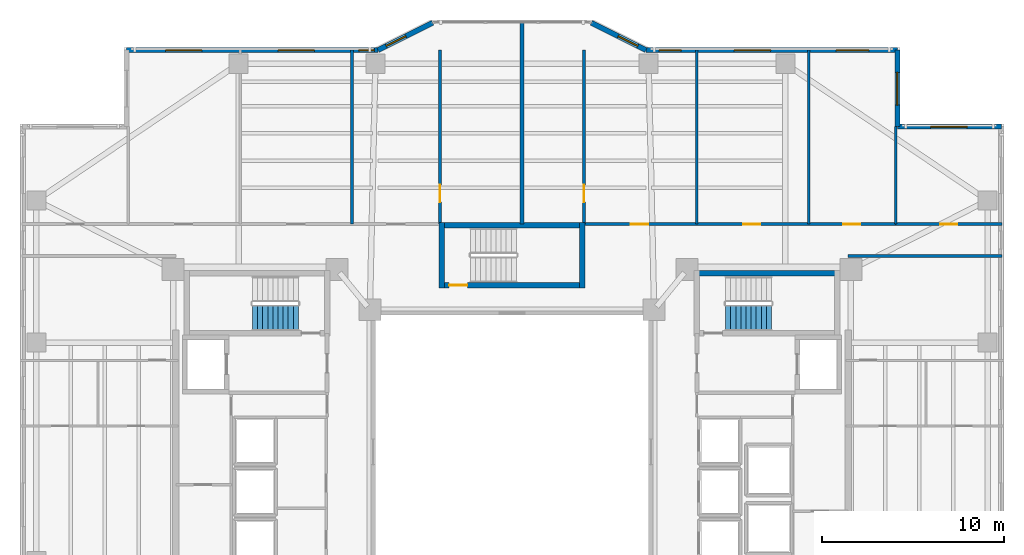
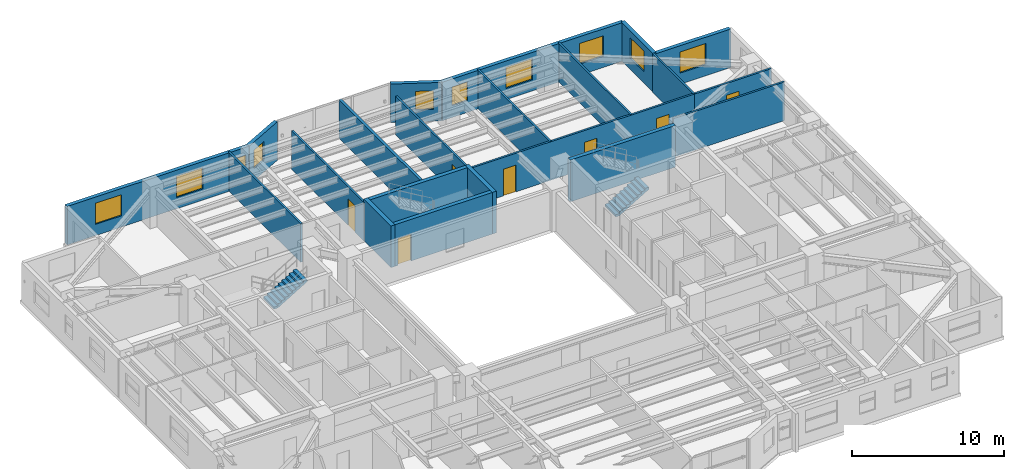
# One storey, part 10 of 18: 21 walls, 10 windows, 7 doors, 2 stair flights, 17 openings, 2 elements without a shape of their own.
"""IFC4 building model written with IfcOpenShell, lengths in metres."""

import ifcopenshell
import ifcopenshell.guid

model = None  # the IFC model being written
_history = None  # IfcOwnerHistory: only IFC2X3 demands one
_inside = {}  # id of a spatial element -> (the spatial element, [elements in it])
_under = {}  # id of a project, library or spatial element -> (it, [spatial elements below it])
_declared = {}  # id of a project -> (the project, [libraries it declares])
_typed = {}  # id of a type object -> (the type object, [elements of that type])
_made_of = {}  # id of a material, layer set ... -> (it, [elements and type objects made of it])


def new_model(schema):
    """Start an empty IFC model of exactly this schema.

    Asked for "IFC4X3", IfcOpenShell would pick the latest addendum, in which some entities
    have other attributes; the version numbers below select the first issue.
    IFC2X3 requires an IfcOwnerHistory on every rooted entity: one is made here for all.
    """
    global model, _history
    if schema == "IFC4X3":
        model = ifcopenshell.file(schema_version=(4, 3, 0, 0))
    else:
        model = ifcopenshell.file(schema=schema)
    _inside.clear()
    _under.clear()
    _declared.clear()
    _typed.clear()
    _made_of.clear()
    _history = None
    if model.schema == "IFC2X3":
        org = make("IfcOrganization", Name="unknown")
        user = make(
            "IfcPersonAndOrganization",
            ThePerson=make("IfcPerson", FamilyName="unknown"),
            TheOrganization=org,
        )
        app = make(
            "IfcApplication",
            ApplicationDeveloper=org,
            Version="unknown",
            ApplicationFullName="unknown",
            ApplicationIdentifier="unknown",
        )
        _history = make(
            "IfcOwnerHistory",
            OwningUser=user,
            OwningApplication=app,
            ChangeAction="ADDED",
            CreationDate=0,
        )
    return model


def make(cls, **values):
    """One entity of the class cls with the attributes given. An attribute that is None is left unset."""
    return model.create_entity(
        cls, **{name: value for name, value in values.items() if value is not None}
    )


def rooted(cls, **values):
    """An entity with a GlobalId (a new one), such as an element, a storey or a relation."""
    return make(cls, GlobalId=ifcopenshell.guid.new(), OwnerHistory=_history, **values)


def si_unit(unit_type, name, prefix=None):
    """IfcSIUnit, for example si_unit("LENGTHUNIT", "METRE", prefix="MILLI")."""
    return make("IfcSIUnit", UnitType=unit_type, Prefix=prefix, Name=name)


def assignment(units):
    """IfcUnitAssignment: the units of a project."""
    return None if units is None else make("IfcUnitAssignment", Units=units)


def point(xyz):
    """IfcCartesianPoint."""
    return None if xyz is None else make("IfcCartesianPoint", Coordinates=xyz)


def direction(xyz):
    """IfcDirection."""
    return None if xyz is None else make("IfcDirection", DirectionRatios=xyz)


def frame(location, z_axis=None, x_axis=None):
    """IfcAxis2Placement3D, a coordinate frame: its origin and axes. An axis left out is left unset."""
    return make(
        "IfcAxis2Placement3D",
        Location=point(location),
        Axis=direction(z_axis),
        RefDirection=direction(x_axis),
    )


def frame_2d(location, x_axis=None):
    """IfcAxis2Placement2D, a coordinate frame in the plane: its origin and x axis."""
    return make(
        "IfcAxis2Placement2D", Location=point(location), RefDirection=direction(x_axis)
    )


def origin():
    """The frame at (0, 0, 0) with its axes left unset."""
    return frame((0.0, 0.0, 0.0))


def place(relative_to, where):
    """IfcLocalPlacement: puts the frame where relative to a parent placement (None: the world)."""
    return make(
        "IfcLocalPlacement", PlacementRelTo=relative_to, RelativePlacement=where
    )


def context(
    kind, dimensions, precision=None, world=None, true_north=None, identifier=None
):
    """IfcGeometricRepresentationContext, for example the 3D "Model" context."""
    return make(
        "IfcGeometricRepresentationContext",
        ContextIdentifier=identifier,
        ContextType=kind,
        CoordinateSpaceDimension=dimensions,
        Precision=precision,
        WorldCoordinateSystem=world,
        TrueNorth=true_north,
    )


def subcontext(parent, identifier, kind, view, scale=None):
    """IfcGeometricRepresentationSubContext, for example "Body" below "Model"."""
    return make(
        "IfcGeometricRepresentationSubContext",
        ContextIdentifier=identifier,
        ContextType=kind,
        ParentContext=parent,
        TargetScale=scale,
        TargetView=view,
    )


def project(units=None, contexts=None):
    """IfcProject with its units and contexts."""
    return rooted(
        "IfcProject",
        Name="project",
        RepresentationContexts=contexts,
        UnitsInContext=assignment(units),
    )


def spatial(cls, under=None, at=None, **own):
    """A site, building, storey or space (cls), placed at a placement, below another one or the project."""
    s = rooted(cls, ObjectPlacement=at, **own)
    if under is not None:
        _under.setdefault(under.id(), (under, []))[1].append(s)
    return s


def polyline(points):
    """IfcPolyline through the points."""
    return make("IfcPolyline", Points=[point(p) for p in points])


def profile(cls, at=None, kind="AREA", **sizes):
    """A parametric profile (cls). Its sizes go by their IFC names, for example OverallWidth=200.0."""
    return make(cls, ProfileType=kind, Position=at, **sizes)


def rectangle(**sizes):
    """IfcRectangleProfileDef."""
    return profile("IfcRectangleProfileDef", **sizes)


def outline(outer, holes=None, kind="AREA"):
    """IfcArbitraryClosedProfileDef: a profile drawn as a closed curve; with holes, ...WithVoids."""
    if holes is None:
        return make("IfcArbitraryClosedProfileDef", ProfileType=kind, OuterCurve=outer)
    return make(
        "IfcArbitraryProfileDefWithVoids",
        ProfileType=kind,
        OuterCurve=outer,
        InnerCurves=holes,
    )


def extrude(swept, where, along, depth):
    """IfcExtrudedAreaSolid: the profile swept, set in the frame where, extruded along a direction by depth."""
    return make(
        "IfcExtrudedAreaSolid",
        SweptArea=swept,
        Position=where,
        ExtrudedDirection=direction(along),
        Depth=depth,
    )


def shape(context_of_items, identifier, shape_type, items):
    """IfcShapeRepresentation: the items that make up one representation, for example the "Body"."""
    return make(
        "IfcShapeRepresentation",
        ContextOfItems=context_of_items,
        RepresentationIdentifier=identifier,
        RepresentationType=shape_type,
        Items=items,
    )


def material(Name=None, Category=None):
    """IfcMaterial."""
    return make("IfcMaterial", Name=Name, Category=Category)


def layer(
    of_material, thickness, ventilated=None, Name=None, Category=None, Priority=None
):
    """IfcMaterialLayer: one layer of a wall or slab, of a material (None: an air gap)."""
    return make(
        "IfcMaterialLayer",
        Material=of_material,
        LayerThickness=thickness,
        IsVentilated=ventilated,
        Name=Name,
        Category=Category,
        Priority=Priority,
    )


def layer_set(layers, Name=None):
    """IfcMaterialLayerSet."""
    return make("IfcMaterialLayerSet", MaterialLayers=layers, LayerSetName=Name)


def made_of(thing, what):
    """Note that an element or type object is made of a material, layer set ...; save() writes the relation."""
    if what is not None:
        _made_of.setdefault(what.id(), (what, []))[1].append(thing)
    return thing


def type_object(cls, material=None, **own):
    """A type object (cls), such as IfcWallType, which elements share."""
    return made_of(rooted(cls, **own), material)


def element(
    cls,
    number,
    at=None,
    inside=None,
    cuts=None,
    type_object=None,
    material=None,
    context=None,
    identifier="Body",
    shape_type=None,
    held_by="IfcProductDefinitionShape",
    body=None,
    shapes=None,
    **own,
):
    """One element of the class cls, such as IfcWall. Its Tag is "e" and its number.

    at: its placement. inside: the storey or other place that contains it. cuts: it is an
    opening in that element (IfcRelVoidsElement). A single representation is given by context,
    identifier, shape_type and body (its items); several are given by shapes. held_by: the class
    of the entity that holds the representations. save() writes the other relations.
    """
    e = rooted(cls, Tag="e%d" % number, ObjectPlacement=at, **own)
    if body is not None:
        shapes = [shape(context, identifier, shape_type, body)]
    if shapes is not None:
        e.Representation = make(held_by, Representations=shapes)
    if inside is not None:
        _inside.setdefault(inside.id(), (inside, []))[1].append(e)
    if cuts is not None:
        rooted(
            "IfcRelVoidsElement", RelatingBuildingElement=cuts, RelatedOpeningElement=e
        )
    if type_object is not None:
        _typed.setdefault(type_object.id(), (type_object, []))[1].append(e)
    return made_of(e, material)


def fill(opening, filler):
    """IfcRelFillsElement: the door or window that sits in an opening."""
    return rooted(
        "IfcRelFillsElement",
        RelatingOpeningElement=opening,
        RelatedBuildingElement=filler,
    )


def aggregate(whole, parts):
    """IfcRelAggregates: a whole, such as a stair, and the parts it consists of."""
    return rooted("IfcRelAggregates", RelatingObject=whole, RelatedObjects=parts)


def save(model, path):
    """Write the relations noted so far, then the file.

    IfcRelAggregates (storeys below a building ...), IfcRelContainedInSpatialStructure (elements
    in a storey), IfcRelDefinesByType, IfcRelAssociatesMaterial and IfcRelDeclares: one each for
    every whole, place, type object, material and project.
    """
    for whole, parts in _under.values():
        aggregate(whole, parts)
    for where, things in _inside.values():
        rooted(
            "IfcRelContainedInSpatialStructure",
            RelatedElements=things,
            RelatingStructure=where,
        )
    for kind, things in _typed.values():
        rooted("IfcRelDefinesByType", RelatedObjects=things, RelatingType=kind)
    for what, things in _made_of.values():
        rooted("IfcRelAssociatesMaterial", RelatedObjects=things, RelatingMaterial=what)
    for by, libraries in _declared.values():
        rooted("IfcRelDeclares", RelatingContext=by, RelatedDefinitions=libraries)
    model.write(path)


model = new_model("IFC4")

# Units and contexts
model_context = context("Model", 3, precision=1e-05, world=origin(), true_north=direction((0.0, 1.0)))
body_context = subcontext(model_context, "Body", "Model", "MODEL_VIEW")
ifc_project = project(units=[si_unit("LENGTHUNIT", "METRE"), si_unit("AREAUNIT", "SQUARE_METRE"), si_unit("VOLUMEUNIT", "CUBIC_METRE"), si_unit("PLANEANGLEUNIT", "RADIAN"), si_unit("MASSUNIT", "GRAM", prefix="KILO")], contexts=[model_context])

# Site, building, storey
site_placement = place(None, origin())
site = spatial("IfcSite", under=ifc_project, at=site_placement, CompositionType="ELEMENT")
building_placement = place(site_placement, origin())
building = spatial("IfcBuilding", under=site, at=building_placement, Name="Tarnavaz Court Tower", CompositionType="ELEMENT")
storey_placement = place(building_placement, frame((0.0, 0.0, 108.449951171875)))
storey = spatial("IfcBuildingStorey", under=building, at=storey_placement, Name="L29", CompositionType="ELEMENT", Elevation=108.449951171875)

# Walls
ifc_material_1 = material(Name="Concrete C60/75", Category="concrete")
ifc_layer_1 = layer(ifc_material_1, 0.300048828125)
ifc_layer_set_1 = layer_set([ifc_layer_1], Name="Concrete C60/75")
wall_type_1 = type_object("IfcWallType", Name="WL-CORE-300-C60", PredefinedType="SHEAR", material=ifc_layer_set_1)
for number, where, z_axis, x_axis, name in (
    (1, (10.0, 9.7900390625, 0.0), (0.0, 0.0, 1.0), (1.0, 0.0, 0.0), "L29 East Stair Core Wall 005"),
    (2, (-4.0, 12.43994140625, 0.0), (0.0, 0.0, 1.0), (1.0, 0.0, 0.0), "L29 North Stair Core Wall 009"),
):
    element("IfcWall", number, at=place(storey_placement, frame(where, z_axis=z_axis, x_axis=x_axis)), inside=storey, type_object=wall_type_1, Name=name, PredefinedType="SHEAR", context=body_context, shape_type="SweptSolid", body=[
        extrude(rectangle(XDim=8.0, YDim=0.300048828125, at=frame_2d((4.0, 0.0))), origin(), (0.0, 0.0, 1.0), 3.35009765625),
    ])

# Wall, opening, door
wall_1_placement = place(storey_placement, frame((-4.0, 9.14990234375, 0.0), z_axis=(0.0, 0.0, 1.0), x_axis=(1.0, 0.0, 0.0)))
wall_1 = element("IfcWall", 3, at=wall_1_placement, inside=storey, type_object=wall_type_1, Name="L29 North Stair Core Wall 010", PredefinedType="SHEAR", context=body_context, shape_type="SweptSolid", body=[
    extrude(rectangle(XDim=8.0, YDim=0.300048828125, at=frame_2d((4.0, 0.0))), origin(), (0.0, 0.0, 1.0), 3.35009765625),
])
opening_1_placement = place(wall_1_placement, frame((0.550048828125, 0.0, 0.0)))
opening_1 = element("IfcOpeningElement", 4, at=opening_1_placement, cuts=wall_1, Name="Opening D01", PredefinedType="OPENING", context=body_context, shape_type="SweptSolid", body=[
    extrude(rectangle(XDim=1.0, YDim=2.14990234375, at=frame_2d((0.5, 1.074951171875))), frame((0.0, 0.159912109375, 0.0), z_axis=(0.0, -1.0, 0.0), x_axis=(1.0, 0.0, 0.0)), (0.0, 0.0, 1.0), 0.320068359375),
])
ifc_material_2 = material(Name="Fire-Rated Hardwood Timber Core", Category="wood")
door_type_1 = type_object("IfcDoorType", Name="DR-FD90-1000", OperationType="NOTDEFINED", PredefinedType="DOOR", material=ifc_material_2)
door_1_placement = place(opening_1_placement, origin())
door_1 = element("IfcDoor", 5, at=door_1_placement, inside=storey, type_object=door_type_1, Name="L29 Stair ST-N1 Exit Door", OperationType="SINGLE_SWING_LEFT", OverallHeight=2.14990234375, OverallWidth=1.0, PredefinedType="DOOR", context=body_context, shape_type="SweptSolid", body=[
    extrude(rectangle(XDim=1.0, YDim=2.14990234375, at=frame_2d((0.5, 1.074951171875))), frame((0.0, 0.02490234375, 0.0), z_axis=(0.0, -1.0, 0.0), x_axis=(1.0, 0.0, 0.0)), (0.0, 0.0, 1.0), 0.050048828125),
])
fill(opening_1, door_1)

# Walls
for number, where, z_axis, x_axis, name in (
    (6, (-3.85009765625, 9.0, 0.0), (0.0, 0.0, 1.0), (0.0, 1.0, 0.0), "L29 North Stair Core Wall 011"),
    (7, (3.85009765625, 9.0, 0.0), (0.0, 0.0, 1.0), (0.0, 1.0, 0.0), "L29 North Stair Core Wall 012"),
):
    element("IfcWall", number, at=place(storey_placement, frame(where, z_axis=z_axis, x_axis=x_axis)), inside=storey, type_object=wall_type_1, Name=name, PredefinedType="SHEAR", context=body_context, shape_type="SweptSolid", body=[
        extrude(rectangle(XDim=3.590087890625, YDim=0.300048828125, at=frame_2d((1.794921875, 0.0))), origin(), (0.0, 0.0, 1.0), 3.35009765625),
    ])

# Wall, openings, windows
ifc_material_3 = material(Name="Precast Concrete C40/50", Category="concrete")
ifc_layer_2 = layer(ifc_material_3, 0.280029296875)
ifc_layer_set_2 = layer_set([ifc_layer_2], Name="Precast Concrete C40/50")
wall_type_2 = type_object("IfcWallType", Name="WL-EXT-280", PredefinedType="SOLIDWALL", material=ifc_layer_set_2)
wall_2_placement = place(storey_placement, frame((-21.14990234375, 22.050048828125, 0.0), z_axis=(0.0, 0.0, 1.0), x_axis=(1.0, 0.0, 0.0)))
wall_2 = element("IfcWall", 8, at=wall_2_placement, inside=storey, type_object=wall_type_2, Name="L29 Exterior Terracotta Facade Wall 05", PredefinedType="SOLIDWALL", context=body_context, shape_type="SweptSolid", body=[
    extrude(rectangle(XDim=13.7998046875, YDim=0.280029296875, at=frame_2d((6.89990234375, 0.0))), origin(), (0.0, 0.0, 1.0), 3.10009765625),
])
opening_2_placement = place(wall_2_placement, frame((2.136474609375, 0.0, 0.89990234375)))
opening_2 = element("IfcOpeningElement", 9, at=opening_2_placement, cuts=wall_2, Name="Opening W08", PredefinedType="OPENING", context=body_context, shape_type="SweptSolid", body=[
    extrude(rectangle(XDim=2.0, YDim=1.699951171875, at=frame_2d((1.0, 0.85009765625))), frame((0.0, 0.14990234375, 0.0), z_axis=(0.0, -1.0, 0.0), x_axis=(1.0, 0.0, 0.0)), (0.0, 0.0, 1.0), 0.300048828125),
])
opening_3_placement = place(wall_2_placement, frame((8.30859375, 0.0, 0.89990234375)))
opening_3 = element("IfcOpeningElement", 10, at=opening_3_placement, cuts=wall_2, Name="Opening W08", PredefinedType="OPENING", context=body_context, shape_type="SweptSolid", body=[
    extrude(rectangle(XDim=2.0, YDim=1.699951171875, at=frame_2d((1.0, 0.85009765625))), frame((0.0, 0.14990234375, 0.0), z_axis=(0.0, -1.0, 0.0), x_axis=(1.0, 0.0, 0.0)), (0.0, 0.0, 1.0), 0.300048828125),
])
opening_4_placement = place(wall_2_placement, frame((12.7470703125, 0.0, 0.949951171875)))
opening_4 = element("IfcOpeningElement", 11, at=opening_4_placement, cuts=wall_2, Name="Opening W15", PredefinedType="OPENING", context=body_context, shape_type="SweptSolid", body=[
    extrude(rectangle(XDim=0.85009765625, YDim=1.5, at=frame_2d((0.425048828125, 0.75))), frame((0.0, 0.14990234375, 0.0), z_axis=(0.0, -1.0, 0.0), x_axis=(1.0, 0.0, 0.0)), (0.0, 0.0, 1.0), 0.300048828125),
])
ifc_material_4 = material(Name="Double-Glazed Solar Low-E Glass", Category="glass")
window_type_1 = type_object("IfcWindowType", Name="WN-APT-2000", PartitioningType="DOUBLE_PANEL_VERTICAL", PredefinedType="WINDOW", material=ifc_material_4)
window_1_placement = place(opening_2_placement, origin())
window_1 = element("IfcWindow", 12, at=window_1_placement, inside=storey, type_object=window_type_1, Name="L29 Resident Co-Working Study Room Window", OverallHeight=1.699951171875, OverallWidth=2.0, PartitioningType="SINGLE_PANEL", PredefinedType="WINDOW", context=body_context, shape_type="SweptSolid", body=[
    extrude(rectangle(XDim=2.0, YDim=1.699951171875, at=frame_2d((1.0, 0.85009765625))), frame((0.0, 0.030029296875, 0.0), z_axis=(0.0, -1.0, 0.0), x_axis=(1.0, 0.0, 0.0)), (0.0, 0.0, 1.0), 0.06005859375),
])
fill(opening_2, window_1)
window_2_placement = place(opening_3_placement, origin())
window_2 = element("IfcWindow", 13, at=window_2_placement, inside=storey, type_object=window_type_1, Name="L29 Quiet Reading Library Room Window", OverallHeight=1.699951171875, OverallWidth=2.0, PartitioningType="SINGLE_PANEL", PredefinedType="WINDOW", context=body_context, shape_type="SweptSolid", body=[
    extrude(rectangle(XDim=2.0, YDim=1.699951171875, at=frame_2d((1.0, 0.85009765625))), frame((0.0, 0.030029296875, 0.0), z_axis=(0.0, -1.0, 0.0), x_axis=(1.0, 0.0, 0.0)), (0.0, 0.0, 1.0), 0.06005859375),
])
fill(opening_3, window_2)
window_type_2 = type_object("IfcWindowType", Name="WN-APT-850", PartitioningType="SINGLE_PANEL", PredefinedType="WINDOW", material=ifc_material_4)
window_3_placement = place(opening_4_placement, origin())
window_3 = element("IfcWindow", 14, at=window_3_placement, inside=storey, type_object=window_type_2, Name="L29 Resident Focus Seminar Room Window", OverallHeight=1.5, OverallWidth=0.85009765625, PartitioningType="SINGLE_PANEL", PredefinedType="WINDOW", context=body_context, shape_type="SweptSolid", body=[
    extrude(rectangle(XDim=0.85009765625, YDim=1.5, at=frame_2d((0.425048828125, 0.75))), frame((0.0, 0.030029296875, 0.0), z_axis=(0.0, -1.0, 0.0), x_axis=(1.0, 0.0, 0.0)), (0.0, 0.0, 1.0), 0.06005859375),
])
fill(opening_4, window_3)

# Wall, opening, window
wall_3_placement = place(storey_placement, frame((-7.35009765625, 22.050048828125, 0.0), z_axis=(0.0, 0.0, 1.0), x_axis=(0.894427191, 0.4472135955, 0.0)))
wall_3 = element("IfcWall", 15, at=wall_3_placement, inside=storey, type_object=wall_type_2, Name="L29 Exterior Terracotta Facade Wall 06", PredefinedType="SOLIDWALL", context=body_context, shape_type="SweptSolid", body=[
    extrude(rectangle(XDim=3.35400390625, YDim=0.280029296875, at=frame_2d((1.677001953125, 0.0))), origin(), (0.0, 0.0, 1.0), 3.10009765625),
])
opening_5_placement = place(wall_3_placement, frame((0.501220703125, 0.0, 0.949951171875)))
opening_5 = element("IfcOpeningElement", 16, at=opening_5_placement, cuts=wall_3, Name="Opening W05", PredefinedType="OPENING", context=body_context, shape_type="SweptSolid", body=[
    extrude(rectangle(XDim=1.199951171875, YDim=1.5, at=frame_2d((0.60009765625, 0.75))), frame((0.0, 0.14990234375, 0.0), z_axis=(0.0, -1.0, 0.0), x_axis=(1.0, 0.0, 0.0)), (0.0, 0.0, 1.0), 0.300048828125),
])
window_type_3 = type_object("IfcWindowType", Name="WN-APT-1200", PartitioningType="SINGLE_PANEL", PredefinedType="WINDOW", material=ifc_material_4)
window_4_placement = place(opening_5_placement, origin())
window_4 = element("IfcWindow", 17, at=window_4_placement, inside=storey, type_object=window_type_3, Name="L29 Resident Focus Seminar Room Window", OverallHeight=1.5, OverallWidth=1.199951171875, PartitioningType="SINGLE_PANEL", PredefinedType="WINDOW", context=body_context, shape_type="SweptSolid", body=[
    extrude(rectangle(XDim=1.199951171875, YDim=1.5, at=frame_2d((0.60009765625, 0.75))), frame((0.0, 0.030029296875, 0.0), z_axis=(0.0, -1.0, 0.0), x_axis=(1.0, 0.0, 0.0)), (0.0, 0.0, 1.0), 0.06005859375),
])
fill(opening_5, window_4)

wall_4_placement = place(storey_placement, frame((4.35009765625, 23.550048828125, 0.0), z_axis=(0.0, 0.0, 1.0), x_axis=(0.894427191, -0.4472135955, 0.0)))
wall_4 = element("IfcWall", 18, at=wall_4_placement, inside=storey, type_object=wall_type_2, Name="L29 Exterior Terracotta Facade Wall 08", PredefinedType="SOLIDWALL", context=body_context, shape_type="SweptSolid", body=[
    extrude(rectangle(XDim=3.35400390625, YDim=0.280029296875, at=frame_2d((1.677001953125, 0.0))), origin(), (0.0, 0.0, 1.0), 3.10009765625),
])
opening_6_placement = place(wall_4_placement, frame((1.65283203125, 0.0, 0.949951171875)))
opening_6 = element("IfcOpeningElement", 19, at=opening_6_placement, cuts=wall_4, Name="Opening W05", PredefinedType="OPENING", context=body_context, shape_type="SweptSolid", body=[
    extrude(rectangle(XDim=1.199951171875, YDim=1.5, at=frame_2d((0.60009765625, 0.75))), frame((0.0, 0.14990234375, 0.0), z_axis=(0.0, -1.0, 0.0), x_axis=(1.0, 0.0, 0.0)), (0.0, 0.0, 1.0), 0.300048828125),
])
window_5_placement = place(opening_6_placement, origin())
window_5 = element("IfcWindow", 20, at=window_5_placement, inside=storey, type_object=window_type_3, Name="L29 Resident Fitness and Yoga Studio Window", OverallHeight=1.5, OverallWidth=1.199951171875, PartitioningType="SINGLE_PANEL", PredefinedType="WINDOW", context=body_context, shape_type="SweptSolid", body=[
    extrude(rectangle(XDim=1.199951171875, YDim=1.5, at=frame_2d((0.60009765625, 0.75))), frame((0.0, 0.030029296875, 0.0), z_axis=(0.0, -1.0, 0.0), x_axis=(1.0, 0.0, 0.0)), (0.0, 0.0, 1.0), 0.06005859375),
])
fill(opening_6, window_5)

# Wall, openings, windows
wall_5_placement = place(storey_placement, frame((7.35009765625, 22.050048828125, 0.0), z_axis=(0.0, 0.0, 1.0), x_axis=(1.0, 0.0, 0.0)))
wall_5 = element("IfcWall", 21, at=wall_5_placement, inside=storey, type_object=wall_type_2, Name="L29 Exterior Terracotta Facade Wall 09", PredefinedType="SOLIDWALL", context=body_context, shape_type="SweptSolid", body=[
    extrude(rectangle(XDim=13.7998046875, YDim=0.280029296875, at=frame_2d((6.89990234375, 0.0))), origin(), (0.0, 0.0, 1.0), 3.10009765625),
])
opening_7_placement = place(wall_5_placement, frame((0.729736328125, 0.0, 0.949951171875)))
opening_7 = element("IfcOpeningElement", 22, at=opening_7_placement, cuts=wall_5, Name="Opening W05", PredefinedType="OPENING", context=body_context, shape_type="SweptSolid", body=[
    extrude(rectangle(XDim=1.199951171875, YDim=1.5, at=frame_2d((0.60009765625, 0.75))), frame((0.0, 0.14990234375, 0.0), z_axis=(0.0, -1.0, 0.0), x_axis=(1.0, 0.0, 0.0)), (0.0, 0.0, 1.0), 0.300048828125),
])
opening_8_placement = place(wall_5_placement, frame((4.84619140625, 0.0, 0.89990234375)))
opening_8 = element("IfcOpeningElement", 23, at=opening_8_placement, cuts=wall_5, Name="Opening W08", PredefinedType="OPENING", context=body_context, shape_type="SweptSolid", body=[
    extrude(rectangle(XDim=2.0, YDim=1.699951171875, at=frame_2d((1.0, 0.85009765625))), frame((0.0, 0.14990234375, 0.0), z_axis=(0.0, -1.0, 0.0), x_axis=(1.0, 0.0, 0.0)), (0.0, 0.0, 1.0), 0.300048828125),
])
opening_9_placement = place(wall_5_placement, frame((10.441162109375, 0.0, 0.89990234375)))
opening_9 = element("IfcOpeningElement", 24, at=opening_9_placement, cuts=wall_5, Name="Opening W01", PredefinedType="OPENING", context=body_context, shape_type="SweptSolid", body=[
    extrude(rectangle(XDim=1.800048828125, YDim=1.64990234375, at=frame_2d((0.89990234375, 0.824951171875))), frame((0.0, 0.14990234375, 0.0), z_axis=(0.0, -1.0, 0.0), x_axis=(1.0, 0.0, 0.0)), (0.0, 0.0, 1.0), 0.300048828125),
])
window_6_placement = place(opening_7_placement, origin())
window_6 = element("IfcWindow", 25, at=window_6_placement, inside=storey, type_object=window_type_3, Name="L29 Resident Fitness and Yoga Studio Window", OverallHeight=1.5, OverallWidth=1.199951171875, PartitioningType="SINGLE_PANEL", PredefinedType="WINDOW", context=body_context, shape_type="SweptSolid", body=[
    extrude(rectangle(XDim=1.199951171875, YDim=1.5, at=frame_2d((0.60009765625, 0.75))), frame((0.0, 0.030029296875, 0.0), z_axis=(0.0, -1.0, 0.0), x_axis=(1.0, 0.0, 0.0)), (0.0, 0.0, 1.0), 0.06005859375),
])
fill(opening_7, window_6)
window_type_4 = type_object("IfcWindowType", Name="WN-APT-1800", PartitioningType="DOUBLE_PANEL_VERTICAL", PredefinedType="WINDOW", material=ifc_material_4)
window_7_placement = place(opening_9_placement, origin())
window_7 = element("IfcWindow", 26, at=window_7_placement, inside=storey, type_object=window_type_4, Name="L29 Shared Community Tea Pantry Window", OverallHeight=1.64990234375, OverallWidth=1.800048828125, PartitioningType="SINGLE_PANEL", PredefinedType="WINDOW", context=body_context, shape_type="SweptSolid", body=[
    extrude(rectangle(XDim=1.800048828125, YDim=1.64990234375, at=frame_2d((0.89990234375, 0.824951171875))), frame((0.0, 0.030029296875, 0.0), z_axis=(0.0, -1.0, 0.0), x_axis=(1.0, 0.0, 0.0)), (0.0, 0.0, 1.0), 0.06005859375),
])
fill(opening_9, window_7)
window_8_placement = place(opening_8_placement, origin())
window_8 = element("IfcWindow", 27, at=window_8_placement, inside=storey, type_object=window_type_1, Name="L29 Children Playroom and Daycare Window", OverallHeight=1.699951171875, OverallWidth=2.0, PartitioningType="SINGLE_PANEL", PredefinedType="WINDOW", context=body_context, shape_type="SweptSolid", body=[
    extrude(rectangle(XDim=2.0, YDim=1.699951171875, at=frame_2d((1.0, 0.85009765625))), frame((0.0, 0.030029296875, 0.0), z_axis=(0.0, -1.0, 0.0), x_axis=(1.0, 0.0, 0.0)), (0.0, 0.0, 1.0), 0.06005859375),
])
fill(opening_8, window_8)

# Wall, opening, window
wall_6_placement = place(storey_placement, frame((21.14990234375, 22.050048828125, 0.0), z_axis=(0.0, 0.0, 1.0), x_axis=(0.0, -1.0, 0.0)))
wall_6 = element("IfcWall", 28, at=wall_6_placement, inside=storey, type_object=wall_type_2, Name="L29 Exterior Terracotta Facade Wall 10", PredefinedType="SOLIDWALL", context=body_context, shape_type="SweptSolid", body=[
    extrude(rectangle(XDim=4.199951171875, YDim=0.280029296875, at=frame_2d((2.10009765625, 0.0))), origin(), (0.0, 0.0, 1.0), 3.10009765625),
])
opening_10_placement = place(wall_6_placement, frame((1.2177734375, 0.0, 0.89990234375)))
opening_10 = element("IfcOpeningElement", 29, at=opening_10_placement, cuts=wall_6, Name="Opening W01", PredefinedType="OPENING", context=body_context, shape_type="SweptSolid", body=[
    extrude(rectangle(XDim=1.800048828125, YDim=1.64990234375, at=frame_2d((0.89990234375, 0.824951171875))), frame((0.0, 0.14990234375, 0.0), z_axis=(0.0, -1.0, 0.0), x_axis=(1.0, 0.0, 0.0)), (0.0, 0.0, 1.0), 0.300048828125),
])
window_9_placement = place(opening_10_placement, origin())
window_9 = element("IfcWindow", 30, at=window_9_placement, inside=storey, type_object=window_type_4, Name="L29 Shared Community Tea Pantry Window", OverallHeight=1.64990234375, OverallWidth=1.800048828125, PartitioningType="SINGLE_PANEL", PredefinedType="WINDOW", context=body_context, shape_type="SweptSolid", body=[
    extrude(rectangle(XDim=1.800048828125, YDim=1.64990234375, at=frame_2d((0.89990234375, 0.824951171875))), frame((0.0, 0.030029296875, 0.0), z_axis=(0.0, -1.0, 0.0), x_axis=(1.0, 0.0, 0.0)), (0.0, 0.0, 1.0), 0.06005859375),
])
fill(opening_10, window_9)

wall_7_placement = place(storey_placement, frame((21.14990234375, 17.85009765625, 0.0), z_axis=(0.0, 0.0, 1.0), x_axis=(1.0, 0.0, 0.0)))
wall_7 = element("IfcWall", 31, at=wall_7_placement, inside=storey, type_object=wall_type_2, Name="L29 Exterior Terracotta Facade Wall 11", PredefinedType="SOLIDWALL", context=body_context, shape_type="SweptSolid", body=[
    extrude(rectangle(XDim=5.7001953125, YDim=0.280029296875, at=frame_2d((2.85009765625, 0.0))), origin(), (0.0, 0.0, 1.0), 3.10009765625),
])
opening_11_placement = place(wall_7_placement, frame((1.824951171875, 0.0, 0.89990234375)))
opening_11 = element("IfcOpeningElement", 32, at=opening_11_placement, cuts=wall_7, Name="Opening W08", PredefinedType="OPENING", context=body_context, shape_type="SweptSolid", body=[
    extrude(rectangle(XDim=2.0, YDim=1.699951171875, at=frame_2d((1.0, 0.85009765625))), frame((0.0, 0.14990234375, 0.0), z_axis=(0.0, -1.0, 0.0), x_axis=(1.0, 0.0, 0.0)), (0.0, 0.0, 1.0), 0.300048828125),
])
window_10_placement = place(opening_11_placement, origin())
window_10 = element("IfcWindow", 33, at=window_10_placement, inside=storey, type_object=window_type_1, Name="L29 North-East Corner Sunroom Study Window", OverallHeight=1.699951171875, OverallWidth=2.0, PartitioningType="SINGLE_PANEL", PredefinedType="WINDOW", context=body_context, shape_type="SweptSolid", body=[
    extrude(rectangle(XDim=2.0, YDim=1.699951171875, at=frame_2d((1.0, 0.85009765625))), frame((0.0, 0.030029296875, 0.0), z_axis=(0.0, -1.0, 0.0), x_axis=(1.0, 0.0, 0.0)), (0.0, 0.0, 1.0), 0.06005859375),
])
fill(opening_11, window_10)

# Wall, openings, doors
ifc_material_5 = material(Name="Gypsum Fire-Board on Acoustic Metal Stud", Category="masonry")
ifc_layer_3 = layer(ifc_material_5, 0.14990234375)
ifc_layer_set_3 = layer_set([ifc_layer_3], Name="Gypsum Fire-Board on Acoustic Metal Stud")
wall_type_3 = type_object("IfcWallType", Name="WL-FIRE-150", PredefinedType="PARTITIONING", material=ifc_layer_set_3)
wall_8_placement = place(storey_placement, frame((3.85009765625, 12.5, 0.0), z_axis=(0.0, 0.0, 1.0), x_axis=(1.0, 0.0, 0.0)))
wall_8 = element("IfcWall", 34, at=wall_8_placement, inside=storey, type_object=wall_type_3, Name="L29 NE Wing Corridor Wall 072", PredefinedType="PARTITIONING", context=body_context, shape_type="SweptSolid", body=[
    extrude(rectangle(XDim=17.199951171875, YDim=0.14990234375, at=frame_2d((8.60009765625, 0.0))), origin(), (0.0, 0.0, 1.0), 3.10009765625),
])
opening_12_placement = place(wall_8_placement, frame((2.672119140625, 0.0, 0.0)))
opening_12 = element("IfcOpeningElement", 35, at=opening_12_placement, cuts=wall_8, Name="Opening D13", PredefinedType="OPENING", context=body_context, shape_type="SweptSolid", body=[
    extrude(rectangle(XDim=0.949951171875, YDim=2.14990234375, at=frame_2d((0.47509765625, 1.074951171875))), frame((0.0, 0.0849609375, 0.0), z_axis=(0.0, -1.0, 0.0), x_axis=(1.0, 0.0, 0.0)), (0.0, 0.0, 1.0), 0.169921875),
])
opening_13_placement = place(wall_8_placement, frame((8.8369140625, 0.0, 0.0)))
opening_13 = element("IfcOpeningElement", 36, at=opening_13_placement, cuts=wall_8, Name="Opening D13", PredefinedType="OPENING", context=body_context, shape_type="SweptSolid", body=[
    extrude(rectangle(XDim=0.949951171875, YDim=2.14990234375, at=frame_2d((0.47509765625, 1.074951171875))), frame((0.0, 0.0849609375, 0.0), z_axis=(0.0, -1.0, 0.0), x_axis=(1.0, 0.0, 0.0)), (0.0, 0.0, 1.0), 0.169921875),
])
opening_14_placement = place(wall_8_placement, frame((14.319091796875, 0.0, 0.0)))
opening_14 = element("IfcOpeningElement", 37, at=opening_14_placement, cuts=wall_8, Name="Opening D13", PredefinedType="OPENING", context=body_context, shape_type="SweptSolid", body=[
    extrude(rectangle(XDim=0.949951171875, YDim=2.14990234375, at=frame_2d((0.47509765625, 1.074951171875))), frame((0.0, 0.0849609375, 0.0), z_axis=(0.0, -1.0, 0.0), x_axis=(1.0, 0.0, 0.0)), (0.0, 0.0, 1.0), 0.169921875),
])
ifc_material_6 = material(Name="Engineered Oak Timber", Category="wood")
door_type_2 = type_object("IfcDoorType", Name="DR-INT-950", OperationType="NOTDEFINED", PredefinedType="DOOR", material=ifc_material_6)
door_2_placement = place(opening_12_placement, origin())
door_2 = element("IfcDoor", 38, at=door_2_placement, inside=storey, type_object=door_type_2, Name="L29 Resident Fitness and Yoga Studio Door", OperationType="SINGLE_SWING_LEFT", OverallHeight=2.14990234375, OverallWidth=0.949951171875, PredefinedType="DOOR", context=body_context, shape_type="SweptSolid", body=[
    extrude(rectangle(XDim=0.949951171875, YDim=2.14990234375, at=frame_2d((0.47509765625, 1.074951171875))), frame((0.0, 0.02490234375, 0.0), z_axis=(0.0, -1.0, 0.0), x_axis=(1.0, 0.0, 0.0)), (0.0, 0.0, 1.0), 0.050048828125),
])
fill(opening_12, door_2)
door_3_placement = place(opening_13_placement, origin())
door_3 = element("IfcDoor", 39, at=door_3_placement, inside=storey, type_object=door_type_2, Name="L29 Children Playroom and Daycare Door", OperationType="SINGLE_SWING_RIGHT", OverallHeight=2.14990234375, OverallWidth=0.949951171875, PredefinedType="DOOR", context=body_context, shape_type="SweptSolid", body=[
    extrude(rectangle(XDim=0.949951171875, YDim=2.14990234375, at=frame_2d((0.47509765625, 1.074951171875))), frame((0.0, 0.02490234375, 0.0), z_axis=(0.0, -1.0, 0.0), x_axis=(1.0, 0.0, 0.0)), (0.0, 0.0, 1.0), 0.050048828125),
])
fill(opening_13, door_3)
door_4_placement = place(opening_14_placement, origin())
door_4 = element("IfcDoor", 40, at=door_4_placement, inside=storey, type_object=door_type_2, Name="L29 Shared Community Tea Pantry Door", OperationType="SINGLE_SWING_LEFT", OverallHeight=2.14990234375, OverallWidth=0.949951171875, PredefinedType="DOOR", context=body_context, shape_type="SweptSolid", body=[
    extrude(rectangle(XDim=0.949951171875, YDim=2.14990234375, at=frame_2d((0.47509765625, 1.074951171875))), frame((0.0, 0.02490234375, 0.0), z_axis=(0.0, -1.0, 0.0), x_axis=(1.0, 0.0, 0.0)), (0.0, 0.0, 1.0), 0.050048828125),
])
fill(opening_14, door_4)

# Wall
wall_9_placement = place(storey_placement, frame((18.449951171875, 10.75, 0.0), z_axis=(0.0, 0.0, 1.0), x_axis=(1.0, 0.0, 0.0)))
element("IfcWall", 41, at=wall_9_placement, inside=storey, type_object=wall_type_3, Name="L29 Interior Partition 098", PredefinedType="PARTITIONING", context=body_context, shape_type="SweptSolid", body=[
    extrude(rectangle(XDim=8.429931640625, YDim=0.14990234375, at=frame_2d((4.21484375, 0.0))), origin(), (0.0, 0.0, 1.0), 3.10009765625),
])

# Wall, opening, door
wall_10_placement = place(storey_placement, frame((21.050048828125, 12.5, 0.0), z_axis=(0.0, 0.0, 1.0), x_axis=(1.0, 0.0, 0.0)))
wall_10 = element("IfcWall", 42, at=wall_10_placement, inside=storey, type_object=wall_type_3, Name="L29 Interior Partition 104", PredefinedType="PARTITIONING", context=body_context, shape_type="SweptSolid", body=[
    extrude(rectangle(XDim=5.829833984375, YDim=0.14990234375, at=frame_2d((2.9150390625, 0.0))), origin(), (0.0, 0.0, 1.0), 3.10009765625),
])
opening_15_placement = place(wall_10_placement, frame((2.43994140625, 0.0, 0.0)))
opening_15 = element("IfcOpeningElement", 43, at=opening_15_placement, cuts=wall_10, Name="Opening D13", PredefinedType="OPENING", context=body_context, shape_type="SweptSolid", body=[
    extrude(rectangle(XDim=0.949951171875, YDim=2.14990234375, at=frame_2d((0.47509765625, 1.074951171875))), frame((0.0, 0.0849609375, 0.0), z_axis=(0.0, -1.0, 0.0), x_axis=(1.0, 0.0, 0.0)), (0.0, 0.0, 1.0), 0.169921875),
])
door_5_placement = place(opening_15_placement, origin())
door_5 = element("IfcDoor", 44, at=door_5_placement, inside=storey, type_object=door_type_2, Name="L29 NE Sunroom Door", OperationType="SINGLE_SWING_RIGHT", OverallHeight=2.14990234375, OverallWidth=0.949951171875, PredefinedType="DOOR", context=body_context, shape_type="SweptSolid", body=[
    extrude(rectangle(XDim=0.949951171875, YDim=2.14990234375, at=frame_2d((0.47509765625, 1.074951171875))), frame((0.0, 0.02490234375, 0.0), z_axis=(0.0, -1.0, 0.0), x_axis=(1.0, 0.0, 0.0)), (0.0, 0.0, 1.0), 0.050048828125),
])
fill(opening_15, door_5)

# Wall
ifc_material_7 = material(Name="Autoclaved Aerated Concrete Blockwork", Category="masonry")
ifc_layer_4 = layer(ifc_material_7, 0.199951171875)
ifc_layer_set_4 = layer_set([ifc_layer_4], Name="Autoclaved Aerated Concrete Blockwork")
wall_type_4 = type_object("IfcWallType", Name="WL-FIRE-200", PredefinedType="SOLIDWALL", material=ifc_layer_set_4)
wall_11_placement = place(storey_placement, frame((0.550048828125, 12.5, 0.0), z_axis=(0.0, 0.0, 1.0), x_axis=(0.0, 1.0, 0.0)))
element("IfcWall", 45, at=wall_11_placement, inside=storey, type_object=wall_type_4, Name="L29 North Center Party Wall 075", PredefinedType="SOLIDWALL", context=body_context, shape_type="SweptSolid", body=[
    extrude(rectangle(XDim=11.080078125, YDim=0.199951171875, at=frame_2d((5.5400390625, 0.0))), origin(), (0.0, 0.0, 1.0), 3.10009765625),
])

# Wall, opening, door
ifc_material_8 = material(Name="Gypsum Plasterboard Acoustic Partition", Category="masonry")
ifc_layer_5 = layer(ifc_material_8, 0.139892578125)
ifc_layer_set_5 = layer_set([ifc_layer_5], Name="Gypsum Plasterboard Acoustic Partition")
wall_type_5 = type_object("IfcWallType", Name="WL-PART-150", PredefinedType="PARTITIONING", material=ifc_layer_set_5)
wall_12_placement = place(storey_placement, frame((-3.949951171875, 12.5, 0.0), z_axis=(0.0, 0.0, 1.0), x_axis=(0.0, 1.0, 0.0)))
wall_12 = element("IfcWall", 46, at=wall_12_placement, inside=storey, type_object=wall_type_5, Name="L29 Interior Partition 076", PredefinedType="PARTITIONING", context=body_context, shape_type="SweptSolid", body=[
    extrude(rectangle(XDim=9.550048828125, YDim=0.139892578125, at=frame_2d((4.77490234375, 0.0))), origin(), (0.0, 0.0, 1.0), 3.10009765625),
])
opening_16_placement = place(wall_12_placement, frame((1.199951171875, 0.0, 0.0)))
opening_16 = element("IfcOpeningElement", 47, at=opening_16_placement, cuts=wall_12, Name="Opening D13", PredefinedType="OPENING", context=body_context, shape_type="SweptSolid", body=[
    extrude(rectangle(XDim=0.949951171875, YDim=2.14990234375, at=frame_2d((0.47509765625, 1.074951171875))), frame((0.0, 0.079833984375, 0.0), z_axis=(0.0, -1.0, 0.0), x_axis=(1.0, 0.0, 0.0)), (0.0, 0.0, 1.0), 0.159912109375),
])
door_6_placement = place(opening_16_placement, origin())
door_6 = element("IfcDoor", 48, at=door_6_placement, inside=storey, type_object=door_type_2, Name="L29 NW Iwan Study Door", OperationType="SINGLE_SWING_RIGHT", OverallHeight=2.14990234375, OverallWidth=0.949951171875, PredefinedType="DOOR", context=body_context, shape_type="SweptSolid", body=[
    extrude(rectangle(XDim=0.949951171875, YDim=2.14990234375, at=frame_2d((0.47509765625, 1.074951171875))), frame((0.0, 0.02490234375, 0.0), z_axis=(0.0, -1.0, 0.0), x_axis=(1.0, 0.0, 0.0)), (0.0, 0.0, 1.0), 0.050048828125),
])
fill(opening_16, door_6)

# Wall
wall_13_placement = place(storey_placement, frame((-8.781005859375, 12.5, 0.0), z_axis=(0.0, 0.0, 1.0), x_axis=(0.0, 1.0, 0.0)))
element("IfcWall", 49, at=wall_13_placement, inside=storey, type_object=wall_type_5, Name="L29 Interior Partition 078", PredefinedType="PARTITIONING", context=body_context, shape_type="SweptSolid", body=[
    extrude(rectangle(XDim=9.550048828125, YDim=0.139892578125, at=frame_2d((4.77490234375, 0.0))), origin(), (0.0, 0.0, 1.0), 3.10009765625),
])

# Wall, opening, door
wall_14_placement = place(storey_placement, frame((3.949951171875, 12.5, 0.0), z_axis=(0.0, 0.0, 1.0), x_axis=(0.0, 1.0, 0.0)))
wall_14 = element("IfcWall", 50, at=wall_14_placement, inside=storey, type_object=wall_type_5, Name="L29 Interior Partition 079", PredefinedType="PARTITIONING", context=body_context, shape_type="SweptSolid", body=[
    extrude(rectangle(XDim=9.550048828125, YDim=0.139892578125, at=frame_2d((4.77490234375, 0.0))), origin(), (0.0, 0.0, 1.0), 3.10009765625),
])
opening_17_placement = place(wall_14_placement, frame((1.199951171875, 0.0, 0.0)))
opening_17 = element("IfcOpeningElement", 51, at=opening_17_placement, cuts=wall_14, Name="Opening D13", PredefinedType="OPENING", context=body_context, shape_type="SweptSolid", body=[
    extrude(rectangle(XDim=0.949951171875, YDim=2.14990234375, at=frame_2d((0.47509765625, 1.074951171875))), frame((0.0, 0.079833984375, 0.0), z_axis=(0.0, -1.0, 0.0), x_axis=(1.0, 0.0, 0.0)), (0.0, 0.0, 1.0), 0.159912109375),
])
door_7_placement = place(opening_17_placement, origin())
door_7 = element("IfcDoor", 52, at=door_7_placement, inside=storey, type_object=door_type_2, Name="L29 NE Iwan Reading Door", OperationType="SINGLE_SWING_RIGHT", OverallHeight=2.14990234375, OverallWidth=0.949951171875, PredefinedType="DOOR", context=body_context, shape_type="SweptSolid", body=[
    extrude(rectangle(XDim=0.949951171875, YDim=2.14990234375, at=frame_2d((0.47509765625, 1.074951171875))), frame((0.0, 0.02490234375, 0.0), z_axis=(0.0, -1.0, 0.0), x_axis=(1.0, 0.0, 0.0)), (0.0, 0.0, 1.0), 0.050048828125),
])
fill(opening_17, door_7)

# Walls
for number, where, z_axis, x_axis, name in (
    (53, (10.14404296875, 12.5, 0.0), (0.0, 0.0, 1.0), (0.0, 1.0, 0.0), "L29 Interior Partition 080"),
    (54, (16.279052734375, 12.5, 0.0), (0.0, 0.0, 1.0), (0.0, 1.0, 0.0), "L29 Interior Partition 081"),
):
    element("IfcWall", number, at=place(storey_placement, frame(where, z_axis=z_axis, x_axis=x_axis)), inside=storey, type_object=wall_type_5, Name=name, PredefinedType="PARTITIONING", context=body_context, shape_type="SweptSolid", body=[
        extrude(rectangle(XDim=9.550048828125, YDim=0.139892578125, at=frame_2d((4.77490234375, 0.0))), origin(), (0.0, 0.0, 1.0), 3.10009765625),
    ])
wall_15_placement = place(storey_placement, frame((21.050048828125, 12.5, 0.0), z_axis=(0.0, 0.0, 1.0), x_axis=(0.0, 1.0, 0.0)))
element("IfcWall", 55, at=wall_15_placement, inside=storey, type_object=wall_type_5, Name="L29 Interior Partition 102", PredefinedType="PARTITIONING", context=body_context, shape_type="SweptSolid", body=[
    extrude(rectangle(XDim=5.35009765625, YDim=0.139892578125, at=frame_2d((2.675048828125, 0.0))), origin(), (0.0, 0.0, 1.0), 3.10009765625),
])

# Stair, stair flight
ifc_material_9 = material(Name="Concrete C40/50", Category="concrete")
stair_type = type_object("IfcStairType", Name="ST-TWR-20R", PredefinedType="HALF_TURN_STAIR", material=ifc_material_9)
stair_1_placement = place(storey_placement, origin())
stair_1 = element("IfcStair", 56, at=stair_1_placement, inside=storey, type_object=stair_type, Name="L29 West Core Pressurized Exit Stair ST-W1", PredefinedType="HALF_TURN_STAIR")
stair_flight_type = type_object("IfcStairFlightType", Name="SFL-RC-20R", PredefinedType="STRAIGHT", material=ifc_material_9)
stair_flight_1_placement = place(storey_placement, frame((-14.239990234375, 7.360107421875, 1.675048828125), z_axis=(0.0, 0.0, 1.0), x_axis=(1.0, 0.0, 0.0)))
stair_flight_1 = element("IfcStairFlight", 57, at=stair_flight_1_placement, type_object=stair_flight_type, Name="ST-W1 flight 2", NumberOfRisers=10, NumberOfTreads=9, PredefinedType="STRAIGHT", RiserHeight=0.1675, TreadLength=0.28, context=body_context, shape_type="SweptSolid", body=[
    extrude(outline(polyline([(0.0, 0.0), (0.0, 0.16748046875), (0.280029296875, 0.16748046875), (0.280029296875, 0.3349609375), (0.56005859375, 0.3349609375), (0.56005859375, 0.50244140625), (0.840087890625, 0.50244140625), (0.840087890625, 0.669921875), (1.1201171875, 0.669921875), (1.1201171875, 0.83740234375), (1.39990234375, 0.83740234375), (1.39990234375, 1.0048828125), (1.679931640625, 1.0048828125), (1.679931640625, 1.172607421875), (1.9599609375, 1.172607421875), (1.9599609375, 1.340087890625), (2.239990234375, 1.340087890625), (2.239990234375, 1.507568359375), (2.52001953125, 1.507568359375), (2.52001953125, 1.675048828125), (2.52001953125, 1.332763671875), (0.2919921875, 0.0), (0.0, 0.0)])), frame((0.0, 0.7099609375, 0.0), z_axis=(0.0, -1.0, 0.0), x_axis=(1.0, 0.0, 0.0)), (0.0, 0.0, 1.0), 1.419921875),
])
aggregate(stair_1, [stair_flight_1])

stair_2_placement = place(storey_placement, origin())
stair_2 = element("IfcStair", 58, at=stair_2_placement, inside=storey, type_object=stair_type, Name="L29 East Core Pressurized Exit Stair ST-E1", PredefinedType="HALF_TURN_STAIR")
stair_flight_2_placement = place(storey_placement, frame((11.719970703125, 7.360107421875, 0.0), z_axis=(0.0, 0.0, 1.0), x_axis=(1.0, 0.0, 0.0)))
stair_flight_2 = element("IfcStairFlight", 59, at=stair_flight_2_placement, type_object=stair_flight_type, Name="ST-E1 flight 1", NumberOfRisers=10, NumberOfTreads=9, PredefinedType="STRAIGHT", RiserHeight=0.1675, TreadLength=0.28, context=body_context, shape_type="SweptSolid", body=[
    extrude(outline(polyline([(0.0, 0.0), (0.0, 0.16748046875), (0.280029296875, 0.16748046875), (0.280029296875, 0.3349609375), (0.56005859375, 0.3349609375), (0.56005859375, 0.50244140625), (0.840087890625, 0.50244140625), (0.840087890625, 0.669921875), (1.1201171875, 0.669921875), (1.1201171875, 0.83740234375), (1.39990234375, 0.83740234375), (1.39990234375, 1.0048828125), (1.679931640625, 1.0048828125), (1.679931640625, 1.172607421875), (1.9599609375, 1.172607421875), (1.9599609375, 1.340087890625), (2.239990234375, 1.340087890625), (2.239990234375, 1.507568359375), (2.52001953125, 1.507568359375), (2.52001953125, 1.675048828125), (2.52001953125, 1.332763671875), (0.2919921875, 0.0), (0.0, 0.0)])), frame((0.0, 0.7099609375, 0.0), z_axis=(0.0, -1.0, 0.0), x_axis=(1.0, 0.0, 0.0)), (0.0, 0.0, 1.0), 1.419921875),
])
aggregate(stair_2, [stair_flight_2])

save(model, "model.ifc")
